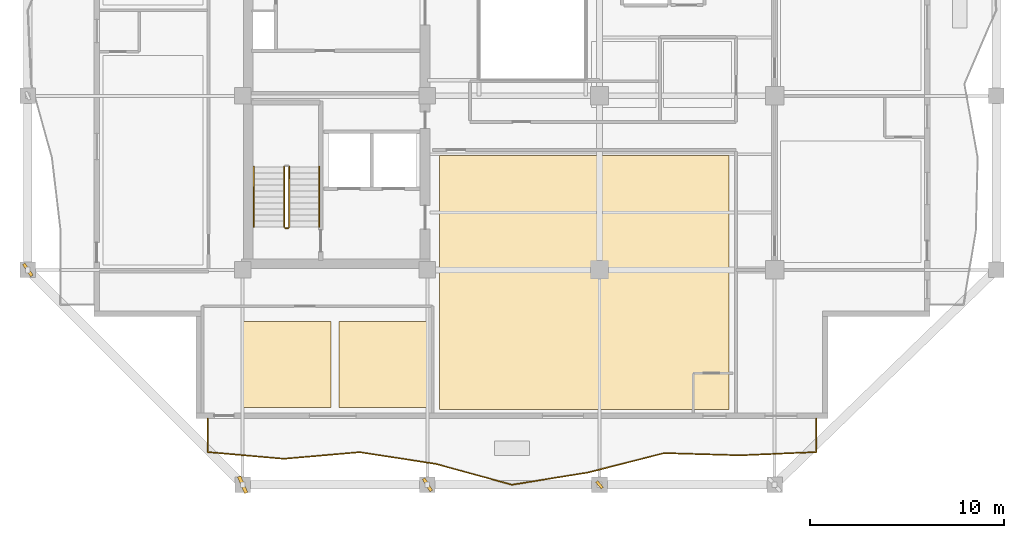
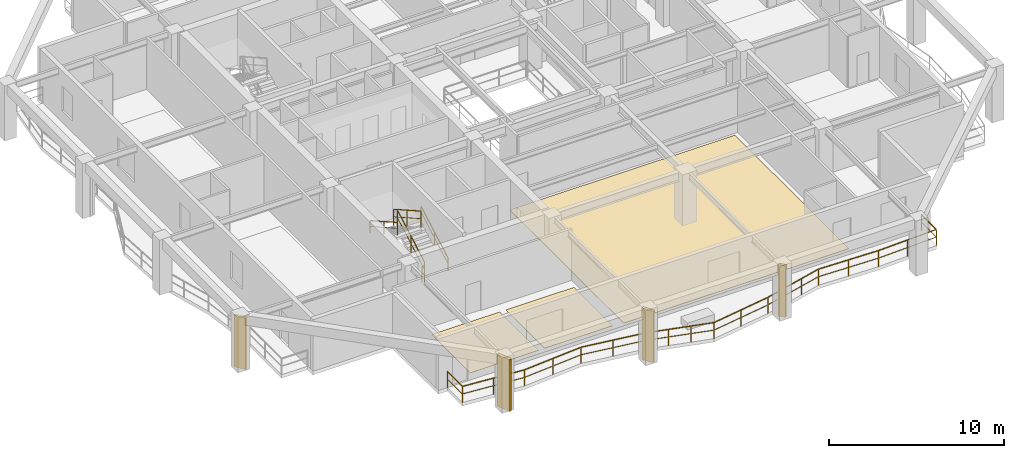
# One storey, part 7 of 12: 6 railings, 4 shading devices, 3 coverings.
"""IFC4 building model written with IfcOpenShell, lengths in metres."""

from ifc_helpers import new_model, si_unit, direction, frame, origin, origin_2d, place, context, subcontext, project, spatial, polyline, rectangle, outline, extrude, material, layer, layer_set, type_object, element, save


model = new_model("IFC4")

# Units and contexts
model_context = context("Model", 3, precision=1e-05, world=origin(), true_north=direction((0.0, 1.0)))
body_context = subcontext(model_context, "Body", "Model", "MODEL_VIEW")
ifc_project = project(units=[si_unit("LENGTHUNIT", "METRE"), si_unit("AREAUNIT", "SQUARE_METRE"), si_unit("VOLUMEUNIT", "CUBIC_METRE"), si_unit("PLANEANGLEUNIT", "RADIAN"), si_unit("MASSUNIT", "GRAM", prefix="KILO")], contexts=[model_context])

# Site, building, storey
site_placement = place(None, origin())
site = spatial("IfcSite", under=ifc_project, at=site_placement, CompositionType="ELEMENT")
building_placement = place(site_placement, origin())
building = spatial("IfcBuilding", under=site, at=building_placement, Name="Kundavana Baori Tower", CompositionType="ELEMENT")
storey_placement = place(building_placement, frame((0.0, 0.0, 196.39990234375)))
storey = spatial("IfcBuildingStorey", under=building, at=storey_placement, Name="L48", CompositionType="ELEMENT", Elevation=196.39990234375)

# Coverings
ifc_material_1 = material(Name="Honed Kota Stone and Terrazzo Flooring", Category="masonry")
ifc_layer = layer(ifc_material_1, 0.030029296875, Name="COV-INT-FLR")
ifc_layer_set = layer_set([ifc_layer], Name="Honed Kota Stone and Terrazzo Flooring")
covering_type = type_object("IfcCoveringType", Name="COV-INT-FLR", PredefinedType="FLOORING", material=ifc_layer_set)
covering_1_placement = place(storey_placement, origin())
element("IfcCovering", 1, at=covering_1_placement, inside=storey, type_object=covering_type, Name="L48 Room Finished Stone Flooring 3", PredefinedType="FLOORING", context=body_context, shape_type="SweptSolid", body=[
    extrude(outline(polyline([(25.580078125, 8.080078125), (40.4599609375, 8.080078125), (40.4599609375, 21.139892578125), (25.580078125, 21.139892578125), (25.580078125, 8.080078125)])), origin(), (0.0, 0.0, 1.0), 0.030029296875),
])
covering_2_placement = place(storey_placement, origin())
element("IfcCovering", 2, at=covering_2_placement, inside=storey, type_object=covering_type, Name="L48 Room Finished Stone Flooring 9", PredefinedType="FLOORING", context=body_context, shape_type="SweptSolid", body=[
    extrude(outline(polyline([(15.5, 8.179931640625), (20.0, 8.179931640625), (20.0, 12.60009765625), (15.5, 12.60009765625), (15.5, 8.179931640625)])), origin(), (0.0, 0.0, 1.0), 0.030029296875),
])
covering_3_placement = place(storey_placement, origin())
element("IfcCovering", 3, at=covering_3_placement, inside=storey, type_object=covering_type, Name="L48 Room Finished Stone Flooring 10", PredefinedType="FLOORING", context=body_context, shape_type="SweptSolid", body=[
    extrude(outline(polyline([(20.39990234375, 8.179931640625), (24.89990234375, 8.179931640625), (24.89990234375, 12.60009765625), (20.39990234375, 12.60009765625), (20.39990234375, 8.179931640625)])), origin(), (0.0, 0.0, 1.0), 0.030029296875),
])

# Railings
ifc_material_2 = material(Name="Architectural Patinated Bronze Metalwork")
railing_type_1 = type_object("IfcRailingType", Name="RL-BAL-1150", PredefinedType="BALUSTRADE", material=ifc_material_2)
railing_1_placement = place(storey_placement, frame((44.949951171875, 7.60009765625, 0.0)))
element("IfcRailing", 4, at=railing_1_placement, inside=storey, type_object=railing_type_1, Name="L48 Loggia Balcony Balustrade S", PredefinedType="BALUSTRADE", context=body_context, shape_type="SweptSolid", body=[
    extrude(rectangle(XDim=0.048095703125, YDim=0.048095703125, at=origin_2d()), frame((0.0, 0.0, 1.1259765625), z_axis=(0.0, -1.0, 0.0), x_axis=(1.0, 0.0, 0.0)), (0.0, 0.0, 1.0), 1.72021484375),
    extrude(rectangle(XDim=0.03125, YDim=0.03125, at=origin_2d()), frame((0.0, 0.0, 0.597900390625), z_axis=(0.0, -1.0, 0.0), x_axis=(1.0, 0.0, 0.0)), (0.0, 0.0, 1.0), 1.72021484375),
    extrude(rectangle(XDim=0.048095703125, YDim=0.048095703125, at=origin_2d()), frame((0.0, -1.72021484375, 1.1259765625), z_axis=(-0.999090083647, -0.042649792, 0.0), x_axis=(0.042649792, -0.999090083647, 0.0)), (0.0, 0.0, 1.0), 3.91552734375),
    extrude(rectangle(XDim=0.03125, YDim=0.03125, at=origin_2d()), frame((0.0, -1.72021484375, 0.597900390625), z_axis=(-0.999090083647, -0.042649792, 0.0), x_axis=(0.042649792, -0.999090083647, 0.0)), (0.0, 0.0, 1.0), 3.91552734375),
    extrude(rectangle(XDim=0.048095703125, YDim=0.048095703125, at=origin_2d()), frame((-3.911865234375, -1.88720703125, 1.1259765625), z_axis=(-0.999583033059, 0.028874902939, 0.0), x_axis=(-0.028874902939, -0.999583033059, 0.0)), (0.0, 0.0, 1.0), 3.914794921875),
    extrude(rectangle(XDim=0.03125, YDim=0.03125, at=origin_2d()), frame((-3.911865234375, -1.88720703125, 0.597900390625), z_axis=(-0.999583033059, 0.028874902939, 0.0), x_axis=(-0.028874902939, -0.999583033059, 0.0)), (0.0, 0.0, 1.0), 3.914794921875),
    extrude(rectangle(XDim=0.048095703125, YDim=0.048095703125, at=origin_2d()), frame((-7.824951171875, -1.774169921875, 1.1259765625), z_axis=(-0.969152617232, -0.246461365153, 0.0), x_axis=(0.246461365153, -0.969152617232, 0.0)), (0.0, 0.0, 1.0), 4.03662109375),
    extrude(rectangle(XDim=0.03125, YDim=0.03125, at=origin_2d()), frame((-7.824951171875, -1.774169921875, 0.597900390625), z_axis=(-0.969152617232, -0.246461365153, 0.0), x_axis=(0.246461365153, -0.969152617232, 0.0)), (0.0, 0.0, 1.0), 4.03662109375),
    extrude(rectangle(XDim=0.048095703125, YDim=0.048095703125, at=origin_2d()), frame((-11.737060546875, -2.76904296875, 1.1259765625), z_axis=(-0.987241120713, -0.159232438825, 0.0), x_axis=(0.159232438825, -0.987241120713, 0.0)), (0.0, 0.0, 1.0), 3.96337890625),
    extrude(rectangle(XDim=0.03125, YDim=0.03125, at=origin_2d()), frame((-11.737060546875, -2.76904296875, 0.597900390625), z_axis=(-0.987241120713, -0.159232438825, 0.0), x_axis=(0.159232438825, -0.987241120713, 0.0)), (0.0, 0.0, 1.0), 3.96337890625),
    extrude(rectangle(XDim=0.048095703125, YDim=0.048095703125, at=origin_2d()), frame((-15.64990234375, -3.400146484375, 1.1259765625), z_axis=(-0.964567688051, 0.263835507784, 0.0), x_axis=(-0.263835507784, -0.964567688051, 0.0)), (0.0, 0.0, 1.0), 4.055908203125),
    extrude(rectangle(XDim=0.03125, YDim=0.03125, at=origin_2d()), frame((-15.64990234375, -3.400146484375, 0.597900390625), z_axis=(-0.964567688051, 0.263835507784, 0.0), x_axis=(-0.263835507784, -0.964567688051, 0.0)), (0.0, 0.0, 1.0), 4.055908203125),
    extrude(rectangle(XDim=0.048095703125, YDim=0.048095703125, at=origin_2d()), frame((-19.56201171875, -2.330078125, 1.1259765625), z_axis=(-0.988294579625, 0.15255760841, 0.0), x_axis=(-0.15255760841, -0.988294579625, 0.0)), (0.0, 0.0, 1.0), 3.959228515625),
    extrude(rectangle(XDim=0.03125, YDim=0.03125, at=origin_2d()), frame((-19.56201171875, -2.330078125, 0.597900390625), z_axis=(-0.988294579625, 0.15255760841, 0.0), x_axis=(-0.15255760841, -0.988294579625, 0.0)), (0.0, 0.0, 1.0), 3.959228515625),
    extrude(rectangle(XDim=0.048095703125, YDim=0.048095703125, at=origin_2d()), frame((-23.474853515625, -1.72607421875, 1.1259765625), z_axis=(-0.996265968205, -0.086337249179, 0.0), x_axis=(0.086337249179, -0.996265968205, 0.0)), (0.0, 0.0, 1.0), 3.927734375),
    extrude(rectangle(XDim=0.03125, YDim=0.03125, at=origin_2d()), frame((-23.474853515625, -1.72607421875, 0.597900390625), z_axis=(-0.996265968205, -0.086337249179, 0.0), x_axis=(0.086337249179, -0.996265968205, 0.0)), (0.0, 0.0, 1.0), 3.927734375),
    extrude(rectangle(XDim=0.048095703125, YDim=0.048095703125, at=origin_2d()), frame((-27.387939453125, -2.065185546875, 1.1259765625), z_axis=(-0.996134650998, 0.087839382293, 0.0), x_axis=(-0.087839382293, -0.996134650998, 0.0)), (0.0, 0.0, 1.0), 3.92724609375),
    extrude(rectangle(XDim=0.03125, YDim=0.03125, at=origin_2d()), frame((-27.387939453125, -2.065185546875, 0.597900390625), z_axis=(-0.996134650998, 0.087839382293, 0.0), x_axis=(-0.087839382293, -0.996134650998, 0.0)), (0.0, 0.0, 1.0), 3.92724609375),
    extrude(rectangle(XDim=0.048095703125, YDim=0.048095703125, at=origin_2d()), frame((-31.300048828125, -1.72021484375, 1.1259765625), z_axis=(0.0, 1.0, 0.0), x_axis=(-1.0, 0.0, 0.0)), (0.0, 0.0, 1.0), 1.72021484375),
    extrude(rectangle(XDim=0.03125, YDim=0.03125, at=origin_2d()), frame((-31.300048828125, -1.72021484375, 0.597900390625), z_axis=(0.0, 1.0, 0.0), x_axis=(-1.0, 0.0, 0.0)), (0.0, 0.0, 1.0), 1.72021484375),
    extrude(rectangle(XDim=0.0419921875, YDim=0.0419921875, at=origin_2d()), origin(), (0.0, 0.0, 1.0), 1.101806640625),
    extrude(rectangle(XDim=0.0419921875, YDim=0.0419921875, at=origin_2d()), frame((0.0, -1.72021484375, 0.0)), (0.0, 0.0, 1.0), 1.101806640625),
    extrude(rectangle(XDim=0.0419921875, YDim=0.0419921875, at=origin_2d()), frame((-1.9560546875, -1.8037109375, 0.0)), (0.0, 0.0, 1.0), 1.101806640625),
    extrude(rectangle(XDim=0.0419921875, YDim=0.0419921875, at=origin_2d()), frame((-3.911865234375, -1.88720703125, 0.0)), (0.0, 0.0, 1.0), 1.101806640625),
    extrude(rectangle(XDim=0.0419921875, YDim=0.0419921875, at=origin_2d()), frame((-5.868408203125, -1.83056640625, 0.0)), (0.0, 0.0, 1.0), 1.101806640625),
    extrude(rectangle(XDim=0.0419921875, YDim=0.0419921875, at=origin_2d()), frame((-7.824951171875, -1.774169921875, 0.0)), (0.0, 0.0, 1.0), 1.101806640625),
    extrude(rectangle(XDim=0.0419921875, YDim=0.0419921875, at=origin_2d()), frame((-9.12890625, -2.105712890625, 0.0)), (0.0, 0.0, 1.0), 1.101806640625),
    extrude(rectangle(XDim=0.0419921875, YDim=0.0419921875, at=origin_2d()), frame((-10.43310546875, -2.4375, 0.0)), (0.0, 0.0, 1.0), 1.101806640625),
    extrude(rectangle(XDim=0.0419921875, YDim=0.0419921875, at=origin_2d()), frame((-11.737060546875, -2.76904296875, 0.0)), (0.0, 0.0, 1.0), 1.101806640625),
    extrude(rectangle(XDim=0.0419921875, YDim=0.0419921875, at=origin_2d()), frame((-13.693359375, -3.08447265625, 0.0)), (0.0, 0.0, 1.0), 1.101806640625),
    extrude(rectangle(XDim=0.0419921875, YDim=0.0419921875, at=origin_2d()), frame((-15.64990234375, -3.400146484375, 0.0)), (0.0, 0.0, 1.0), 1.101806640625),
    extrude(rectangle(XDim=0.0419921875, YDim=0.0419921875, at=origin_2d()), frame((-16.953857421875, -3.04345703125, 0.0)), (0.0, 0.0, 1.0), 1.101806640625),
    extrude(rectangle(XDim=0.0419921875, YDim=0.0419921875, at=origin_2d()), frame((-18.258056640625, -2.686767578125, 0.0)), (0.0, 0.0, 1.0), 1.101806640625),
    extrude(rectangle(XDim=0.0419921875, YDim=0.0419921875, at=origin_2d()), frame((-19.56201171875, -2.330078125, 0.0)), (0.0, 0.0, 1.0), 1.101806640625),
    extrude(rectangle(XDim=0.0419921875, YDim=0.0419921875, at=origin_2d()), frame((-21.5185546875, -2.028076171875, 0.0)), (0.0, 0.0, 1.0), 1.101806640625),
    extrude(rectangle(XDim=0.0419921875, YDim=0.0419921875, at=origin_2d()), frame((-23.474853515625, -1.72607421875, 0.0)), (0.0, 0.0, 1.0), 1.101806640625),
    extrude(rectangle(XDim=0.0419921875, YDim=0.0419921875, at=origin_2d()), frame((-25.431396484375, -1.8955078125, 0.0)), (0.0, 0.0, 1.0), 1.101806640625),
    extrude(rectangle(XDim=0.0419921875, YDim=0.0419921875, at=origin_2d()), frame((-27.387939453125, -2.065185546875, 0.0)), (0.0, 0.0, 1.0), 1.101806640625),
    extrude(rectangle(XDim=0.0419921875, YDim=0.0419921875, at=origin_2d()), frame((-29.343994140625, -1.892578125, 0.0)), (0.0, 0.0, 1.0), 1.101806640625),
    extrude(rectangle(XDim=0.0419921875, YDim=0.0419921875, at=origin_2d()), frame((-31.300048828125, -1.72021484375, 0.0)), (0.0, 0.0, 1.0), 1.101806640625),
    extrude(rectangle(XDim=0.0419921875, YDim=0.0419921875, at=origin_2d()), frame((-31.300048828125, 0.0, 0.0)), (0.0, 0.0, 1.0), 1.101806640625),
])
ifc_material_3 = material(Name="Architectural Patinated Bronze Metalwork")
railing_type_2 = type_object("IfcRailingType", Name="RL-GRD-1150", PredefinedType="GUARDRAIL", material=ifc_material_3)
railing_2_placement = place(storey_placement, frame((17.840087890625, 17.449951171875, 0.175048828125)))
element("IfcRailing", 5, at=railing_2_placement, inside=storey, type_object=railing_type_2, Name="L48 ST1 stair guard 1", PredefinedType="GUARDRAIL", context=body_context, shape_type="SweptSolid", body=[
    extrude(rectangle(XDim=0.048095703125, YDim=0.048095703125, at=origin_2d()), frame((0.0, 0.0, 1.1259765625), z_axis=(0.0, 0.870830938388, 0.491582624537), x_axis=(-1.0, 0.0, 0.0)), (0.0, 0.0, 1.0), 3.559814453125),
    extrude(rectangle(XDim=0.03125, YDim=0.03125, at=origin_2d()), frame((0.0, 0.0, 0.597900390625), z_axis=(0.0, 0.870830938388, 0.491582624537), x_axis=(-1.0, 0.0, 0.0)), (0.0, 0.0, 1.0), 3.559814453125),
    extrude(rectangle(XDim=0.0419921875, YDim=0.0419921875, at=origin_2d()), origin(), (0.0, 0.0, 1.0), 1.101806640625),
    extrude(rectangle(XDim=0.0419921875, YDim=0.0419921875, at=origin_2d()), frame((0.0, 1.550048828125, 0.875)), (0.0, 0.0, 1.0), 1.101806640625),
    extrude(rectangle(XDim=0.0419921875, YDim=0.0419921875, at=origin_2d()), frame((0.0, 3.10009765625, 1.75)), (0.0, 0.0, 1.0), 1.101806640625),
])
railing_3_placement = place(storey_placement, frame((17.580078125, 20.550048828125, 2.10009765625)))
element("IfcRailing", 6, at=railing_3_placement, inside=storey, type_object=railing_type_2, Name="L48 ST1 stair guard 3", PredefinedType="GUARDRAIL", context=body_context, shape_type="SweptSolid", body=[
    extrude(rectangle(XDim=0.048095703125, YDim=0.048095703125, at=origin_2d()), frame((0.0, 0.0, 1.1259765625), z_axis=(0.0, -0.870830938388, 0.491582624537), x_axis=(1.0, 0.0, 0.0)), (0.0, 0.0, 1.0), 3.559814453125),
    extrude(rectangle(XDim=0.03125, YDim=0.03125, at=origin_2d()), frame((0.0, 0.0, 0.597900390625), z_axis=(0.0, -0.870830938388, 0.491582624537), x_axis=(1.0, 0.0, 0.0)), (0.0, 0.0, 1.0), 3.559814453125),
    extrude(rectangle(XDim=0.0419921875, YDim=0.0419921875, at=origin_2d()), origin(), (0.0, 0.0, 1.0), 1.101806640625),
    extrude(rectangle(XDim=0.0419921875, YDim=0.0419921875, at=origin_2d()), frame((0.0, -1.550048828125, 0.875)), (0.0, 0.0, 1.0), 1.101806640625),
    extrude(rectangle(XDim=0.0419921875, YDim=0.0419921875, at=origin_2d()), frame((0.0, -3.10009765625, 1.75)), (0.0, 0.0, 1.0), 1.101806640625),
])
railing_4_placement = place(storey_placement, frame((17.7900390625, 17.39990234375, 0.0)))
element("IfcRailing", 7, at=railing_4_placement, inside=storey, type_object=railing_type_2, Name="L48 ST1 stair guard 4", PredefinedType="GUARDRAIL", context=body_context, shape_type="SweptSolid", body=[
    extrude(rectangle(XDim=0.048095703125, YDim=0.048095703125, at=origin_2d()), frame((0.0, 0.0, 1.1259765625), z_axis=(-1.0, 0.0, 0.0), x_axis=(0.0, -1.0, 0.0)), (0.0, 0.0, 1.0), 0.16015625),
    extrude(rectangle(XDim=0.03125, YDim=0.03125, at=origin_2d()), frame((0.0, 0.0, 0.597900390625), z_axis=(-1.0, 0.0, 0.0), x_axis=(0.0, -1.0, 0.0)), (0.0, 0.0, 1.0), 0.16015625),
    extrude(rectangle(XDim=0.0419921875, YDim=0.0419921875, at=origin_2d()), origin(), (0.0, 0.0, 1.0), 1.101806640625),
    extrude(rectangle(XDim=0.0419921875, YDim=0.0419921875, at=origin_2d()), frame((-0.16015625, 0.0, 0.0)), (0.0, 0.0, 1.0), 1.101806640625),
])
ifc_material_4 = material(Name="Architectural Patinated Bronze Metalwork")
railing_type_3 = type_object("IfcRailingType", Name="RL-HND-920", PredefinedType="HANDRAIL", material=ifc_material_4)
railing_5_placement = place(storey_placement, frame((19.389892578125, 17.449951171875, 0.175048828125)))
element("IfcRailing", 8, at=railing_5_placement, inside=storey, type_object=railing_type_3, Name="L48 ST1 stair handrail 1", PredefinedType="HANDRAIL", context=body_context, shape_type="SweptSolid", body=[
    extrude(rectangle(XDim=0.048095703125, YDim=0.048095703125, at=origin_2d()), frame((0.0, 0.0, 0.8759765625), z_axis=(0.0, 0.870830938388, 0.491582624537), x_axis=(-1.0, 0.0, 0.0)), (0.0, 0.0, 1.0), 3.559814453125),
    extrude(rectangle(XDim=0.03125, YDim=0.03125, at=origin_2d()), frame((0.0, 0.0, 0.468017578125), z_axis=(0.0, 0.870830938388, 0.491582624537), x_axis=(-1.0, 0.0, 0.0)), (0.0, 0.0, 1.0), 3.559814453125),
    extrude(rectangle(XDim=0.0419921875, YDim=0.0419921875, at=origin_2d()), origin(), (0.0, 0.0, 1.0), 0.851806640625),
    extrude(rectangle(XDim=0.0419921875, YDim=0.0419921875, at=origin_2d()), frame((0.0, 1.550048828125, 0.875)), (0.0, 0.0, 1.0), 0.851806640625),
    extrude(rectangle(XDim=0.0419921875, YDim=0.0419921875, at=origin_2d()), frame((0.0, 3.10009765625, 1.75)), (0.0, 0.0, 1.0), 0.851806640625),
])
railing_6_placement = place(storey_placement, frame((16.030029296875, 20.550048828125, 2.10009765625)))
element("IfcRailing", 9, at=railing_6_placement, inside=storey, type_object=railing_type_3, Name="L48 ST1 stair handrail 2", PredefinedType="HANDRAIL", context=body_context, shape_type="SweptSolid", body=[
    extrude(rectangle(XDim=0.048095703125, YDim=0.048095703125, at=origin_2d()), frame((0.0, 0.0, 0.8759765625), z_axis=(0.0, -0.870830938388, 0.491582624537), x_axis=(1.0, 0.0, 0.0)), (0.0, 0.0, 1.0), 3.559814453125),
    extrude(rectangle(XDim=0.03125, YDim=0.03125, at=origin_2d()), frame((0.0, 0.0, 0.468017578125), z_axis=(0.0, -0.870830938388, 0.491582624537), x_axis=(1.0, 0.0, 0.0)), (0.0, 0.0, 1.0), 3.559814453125),
    extrude(rectangle(XDim=0.0419921875, YDim=0.0419921875, at=origin_2d()), origin(), (0.0, 0.0, 1.0), 0.851806640625),
    extrude(rectangle(XDim=0.0419921875, YDim=0.0419921875, at=origin_2d()), frame((0.0, -1.550048828125, 0.875)), (0.0, 0.0, 1.0), 0.851806640625),
    extrude(rectangle(XDim=0.0419921875, YDim=0.0419921875, at=origin_2d()), frame((0.0, -3.10009765625, 1.75)), (0.0, 0.0, 1.0), 0.851806640625),
])

# Shading devices
ifc_material_5 = material(Name="Red-Buff Dholpur Sandstone Cladding on Concrete C40/50", Category="masonry")
shading_device_type_1 = type_object("IfcShadingDeviceType", Name="SHD-FIN-750", PredefinedType="JALOUSIE", material=ifc_material_5)
for number, where, z_axis, x_axis, name in (
    (10, (24.949951171875, 4.199951171875, 0.0), (0.0, 0.0, 1.0), (0.852640164354, 0.522498564716, 0.0), "L48 Sweeping Dholpur Sandstone Facade Fin 2"),
    (11, (4.39990234375, 15.25, 0.0), (0.0, 0.0, 1.0), (0.830012285095, 0.55774510898, 0.0), "L48 Sweeping Dholpur Sandstone Facade Fin 5"),
):
    element("IfcShadingDevice", number, at=place(storey_placement, frame(where, z_axis=z_axis, x_axis=x_axis)), inside=storey, type_object=shading_device_type_1, Name=name, PredefinedType="JALOUSIE", context=body_context, shape_type="SweptSolid", body=[
        extrude(rectangle(XDim=0.159912109375, YDim=0.75, at=origin_2d()), origin(), (0.0, 0.0, 1.0), 3.60009765625),
    ])
ifc_material_6 = material(Name="Red-Buff Dholpur Sandstone Cladding on Concrete C40/50", Category="masonry")
shading_device_type_2 = type_object("IfcShadingDeviceType", Name="SHD-FIN-920", PredefinedType="JALOUSIE", material=ifc_material_6)
shading_device_1_placement = place(storey_placement, frame((15.449951171875, 4.199951171875, 0.0), z_axis=(0.0, 0.0, 1.0), x_axis=(0.918239148313, 0.396026345721, 0.0)))
element("IfcShadingDevice", 12, at=shading_device_1_placement, inside=storey, type_object=shading_device_type_2, Name="L48 Sweeping Dholpur Sandstone Facade Fin 1", PredefinedType="JALOUSIE", context=body_context, shape_type="SweptSolid", body=[
    extrude(rectangle(XDim=0.179931640625, YDim=0.919921875, at=origin_2d()), origin(), (0.0, 0.0, 1.0), 3.60009765625),
])
ifc_material_7 = material(Name="Architectural Patinated Bronze Metalwork")
shading_device_type_3 = type_object("IfcShadingDeviceType", Name="SHD-LOUV-450", PredefinedType="SHUTTER", material=ifc_material_7)
shading_device_2_placement = place(storey_placement, frame((33.800048828125, 4.199951171875, 0.0), z_axis=(0.0, 0.0, 1.0), x_axis=(0.764471531423, 0.644657488628, 0.0)))
element("IfcShadingDevice", 13, at=shading_device_2_placement, inside=storey, type_object=shading_device_type_3, Name="L48 Sweeping Dholpur Sandstone Facade Fin 3", PredefinedType="SHUTTER", context=body_context, shape_type="SweptSolid", body=[
    extrude(rectangle(XDim=0.139892578125, YDim=0.449951171875, at=origin_2d()), origin(), (0.0, 0.0, 1.0), 3.60009765625),
])

save(model, "model.ifc")
